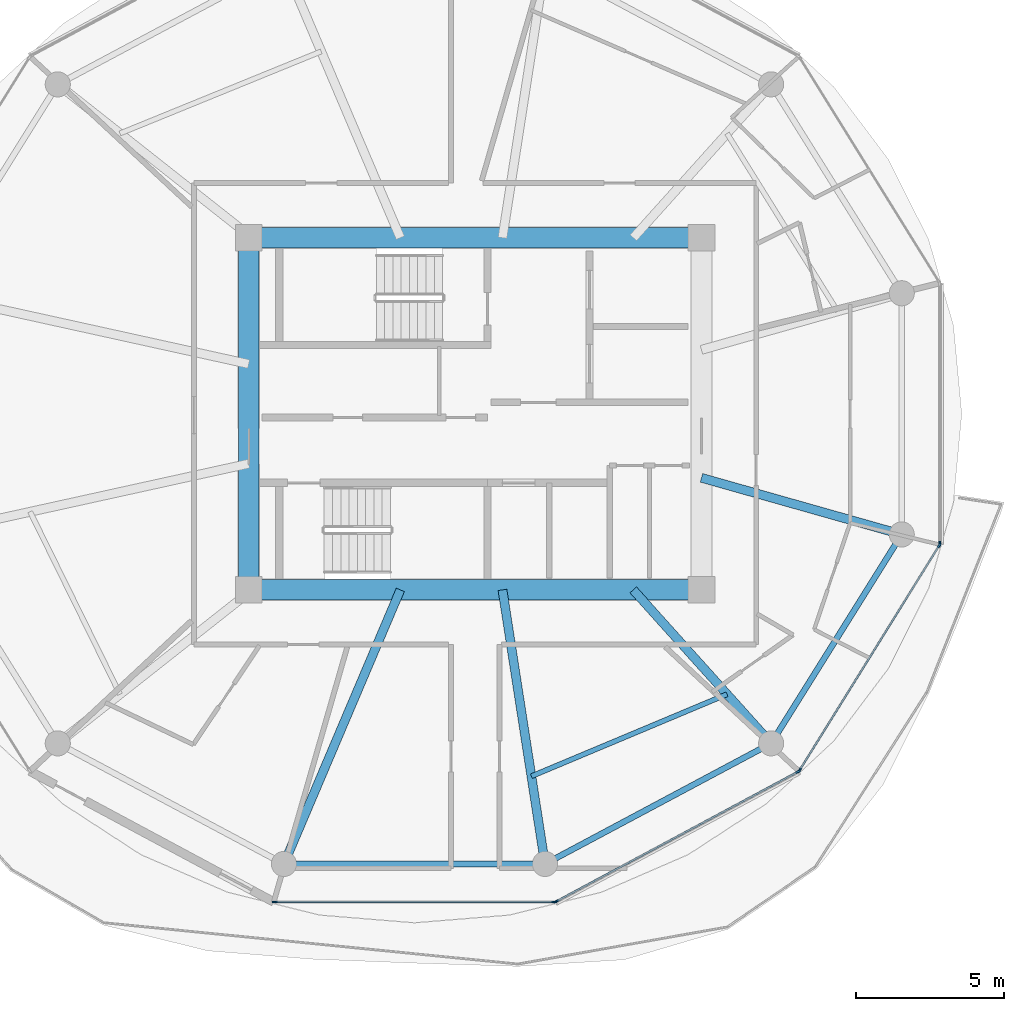
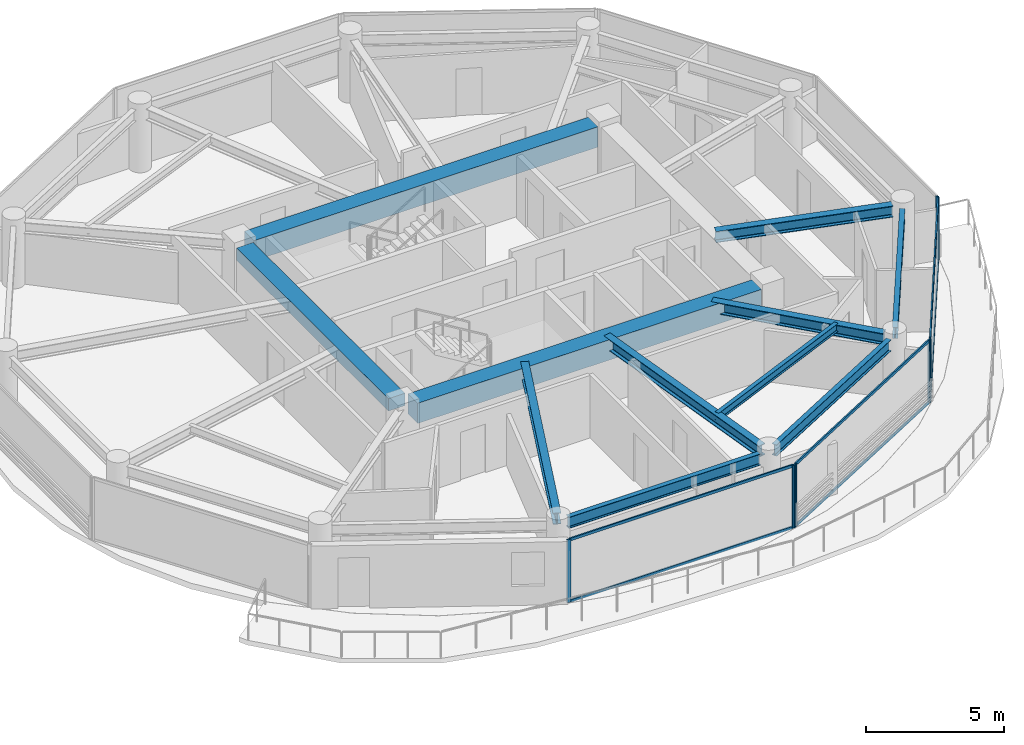
# One storey, part 10 of 24: 13 members, 11 beams, 4 elements without a shape of their own.
"""IFC4 building model written with IfcOpenShell, lengths in metres."""

from ifc_helpers import new_model, si_unit, direction, frame, origin, origin_2d, place, context, subcontext, project, spatial, rectangle, i_section, extrude, source, transform, mapped, material, layer, layer_set, material_profile, profile_set, type_object, type_shapes, element, aggregate, save


model = new_model("IFC4")

# Units and contexts
model_context = context("Model", 3, precision=1e-05, world=origin(), true_north=direction((0.0, 1.0)))
body_context = subcontext(model_context, "Body", "Model", "MODEL_VIEW")
ifc_project = project(units=[si_unit("LENGTHUNIT", "METRE"), si_unit("AREAUNIT", "SQUARE_METRE"), si_unit("VOLUMEUNIT", "CUBIC_METRE"), si_unit("PLANEANGLEUNIT", "RADIAN"), si_unit("MASSUNIT", "GRAM", prefix="KILO")], contexts=[model_context])

# Site, building, storey
site_placement = place(None, origin())
site = spatial("IfcSite", under=ifc_project, at=site_placement, CompositionType="ELEMENT")
building_placement = place(site_placement, origin())
building = spatial("IfcBuilding", under=site, at=building_placement, Name="Norrkilde Senior Care Towers", CompositionType="ELEMENT")
storey_placement = place(building_placement, frame((0.0, 0.0, 90.14990234375)))
storey = spatial("IfcBuildingStorey", under=building, at=storey_placement, Name="L27", CompositionType="ELEMENT", Elevation=90.14990234375)

# Beams
ifc_material_1 = material(Name="Concrete C60/75", Category="concrete")
ifc_material_profile_1 = material_profile(ifc_material_1, rectangle(XDim=0.699951171875, YDim=0.89990234375, at=origin_2d()), Name="RC BM 700x900")
ifc_profile_set_1 = profile_set([ifc_material_profile_1], Name="Concrete C60/75")
beam_type_1 = type_object("IfcBeamType", Name="Core Coupling Girder 700x900", PredefinedType="USERDEFINED", material=ifc_profile_set_1)
shared_shape_1 = source(origin(), body_context, "Body", "SweptSolid", [
    extrude(rectangle(XDim=0.699951171875, YDim=0.89990234375, at=origin_2d()), origin(), (0.0, 0.0, 1.0), 14.43994140625),
])
type_shapes(beam_type_1, [shared_shape_1])
for number, where, z_axis, x_axis, name in (
    (1, (20.780029296875, 5.949951171875, 2.340087890625), (1.0, 0.0, 0.0), (0.0, 1.0, 0.0), "L27 Core E N Coupling Girder"),
    (2, (20.780029296875, -5.949951171875, 2.340087890625), (1.0, 0.0, 0.0), (0.0, 1.0, 0.0), "L27 Core E S Coupling Girder"),
):
    element("IfcBeam", number, at=place(storey_placement, frame(where, z_axis=z_axis, x_axis=x_axis)), inside=storey, type_object=beam_type_1, Name=name, ObjectType="GIRDER", PredefinedType="USERDEFINED", context=body_context, shape_type="MappedRepresentation", body=[
        mapped(shared_shape_1, transform((0.0, 0.0, 0.0), x_axis=(1.0, 0.0, 0.0), y_axis=(0.0, 1.0, 0.0), z_axis=(0.0, 0.0, 1.0), scale=1.0)),
    ])
ifc_material_profile_2 = material_profile(ifc_material_1, rectangle(XDim=0.699951171875, YDim=0.550048828125, at=origin_2d()), Name="RC BM 700x550")
ifc_profile_set_2 = profile_set([ifc_material_profile_2], Name="Concrete C60/75")
beam_type_2 = type_object("IfcBeamType", Name="Core Portal Coupling Beam 700x550", PredefinedType="USERDEFINED", material=ifc_profile_set_2)
shared_shape_2 = source(origin(), body_context, "Body", "SweptSolid", [
    extrude(rectangle(XDim=0.699951171875, YDim=0.550048828125, at=origin_2d()), origin(), (0.0, 0.0, 1.0), 11.0400390625),
])
type_shapes(beam_type_2, [shared_shape_2])
beam_1_placement = place(storey_placement, frame((20.35009765625, -5.52001953125, 2.51513671875), z_axis=(0.0, 1.0, 0.0), x_axis=(-1.0, 0.0, 0.0)))
element("IfcBeam", 3, at=beam_1_placement, inside=storey, type_object=beam_type_2, Name="L27 Core E W Coupling Girder", ObjectType="GIRDER", PredefinedType="USERDEFINED", context=body_context, shape_type="MappedRepresentation", body=[
    mapped(shared_shape_2, transform((0.0, 0.0, 0.0), x_axis=(1.0, 0.0, 0.0), y_axis=(0.0, 1.0, 0.0), z_axis=(0.0, 0.0, 1.0), scale=1.0)),
])
ifc_material_2 = material(Name="Steel S355", Category="steel")
ifc_material_profile_3 = material_profile(ifc_material_2, i_section(OverallWidth=0.199951171875, OverallDepth=0.5, WebThickness=0.01025390625, FlangeThickness=0.01611328125, FilletRadius=0.02099609375, at=origin_2d()), Name="IPE 500")
ifc_profile_set_3 = profile_set([ifc_material_profile_3], Name="Steel S355")
beam_type_3 = type_object("IfcBeamType", Name="Perimeter Ring Spandrel Z2 IPE500", PredefinedType="SPANDREL", material=ifc_profile_set_3)
shared_shape_3 = source(origin(), body_context, "Body", "SweptSolid", [
    extrude(i_section(OverallWidth=0.199951171875, OverallDepth=0.5, WebThickness=0.01025390625, FlangeThickness=0.01611328125, FilletRadius=0.02099609375, at=origin_2d()), origin(), (0.0, 0.0, 1.0), 7.892333984375),
])
beam_2_placement = place(storey_placement, frame((30.70263671875, -15.0322265625, 2.5400390625), z_axis=(0.882350372282, 0.47059305194, 0.0), x_axis=(-0.47059305194, 0.882350372282, 0.0)))
element("IfcBeam", 4, at=beam_2_placement, inside=storey, type_object=beam_type_3, Name="L27 Drum E Perimeter Spandrel 10", PredefinedType="SPANDREL", context=body_context, shape_type="MappedRepresentation", body=[
    mapped(shared_shape_3, transform((0.0, 0.0, 0.0), x_axis=(1.0, 0.0, 0.0), y_axis=(0.0, 1.0, 0.0), z_axis=(0.0, 0.0, 1.0), scale=1.0)),
])
shared_shape_4 = source(origin(), body_context, "Body", "SweptSolid", [
    extrude(i_section(OverallWidth=0.199951171875, OverallDepth=0.5, WebThickness=0.01025390625, FlangeThickness=0.01611328125, FilletRadius=0.02099609375, at=origin_2d()), origin(), (0.0, 0.0, 1.0), 8.0556640625),
])
beam_3_placement = place(storey_placement, frame((21.922119140625, -15.21337890625, 2.5400390625), z_axis=(1.0, 0.0, 0.0), x_axis=(0.0, 1.0, 0.0)))
element("IfcBeam", 5, at=beam_3_placement, inside=storey, type_object=beam_type_3, Name="L27 Drum E Perimeter Spandrel 09", PredefinedType="SPANDREL", context=body_context, shape_type="MappedRepresentation", body=[
    mapped(shared_shape_4, transform((0.0, 0.0, 0.0), x_axis=(1.0, 0.0, 0.0), y_axis=(0.0, 1.0, 0.0), z_axis=(0.0, 0.0, 1.0), scale=1.0)),
])
ifc_material_profile_4 = material_profile(ifc_material_2, i_section(OverallWidth=0.300048828125, OverallDepth=0.5, WebThickness=0.014404296875, FlangeThickness=0.028076171875, FilletRadius=0.027099609375, at=origin_2d()), Name="HEB 500")
ifc_profile_set_4 = profile_set([ifc_material_profile_4], Name="Steel S355")
beam_type_4 = type_object("IfcBeamType", Name="Radial Floor Beam Z2 HEB500", PredefinedType="BEAM", material=ifc_profile_set_4)
shared_shape_5 = source(origin(), body_context, "Body", "SweptSolid", [
    extrude(i_section(OverallWidth=0.300048828125, OverallDepth=0.5, WebThickness=0.014404296875, FlangeThickness=0.028076171875, FilletRadius=0.027099609375, at=origin_2d()), origin(), (0.0, 0.0, 1.0), 9.679443359375),
])
beam_4_placement = place(storey_placement, frame((25.472412109375, -5.949951171875, 2.5400390625), z_axis=(-0.390998033479, -0.920391513333, 0.0), x_axis=(0.920391513333, -0.390998033479, 0.0)))
element("IfcBeam", 6, at=beam_4_placement, inside=storey, type_object=beam_type_4, Name="L27 Drum E Radial Floor Beam 09", PredefinedType="BEAM", context=body_context, shape_type="MappedRepresentation", body=[
    mapped(shared_shape_5, transform((0.0, 0.0, 0.0), x_axis=(1.0, 0.0, 0.0), y_axis=(0.0, 1.0, 0.0), z_axis=(0.0, 0.0, 1.0), scale=1.0)),
])
shared_shape_6 = source(origin(), body_context, "Body", "SweptSolid", [
    extrude(i_section(OverallWidth=0.300048828125, OverallDepth=0.5, WebThickness=0.014404296875, FlangeThickness=0.028076171875, FilletRadius=0.027099609375, at=origin_2d()), origin(), (0.0, 0.0, 1.0), 8.989501953125),
])
beam_5_placement = place(storey_placement, frame((28.924072265625, -5.949951171875, 2.5400390625), z_axis=(0.153471298636, -0.988153105796, 0.0), x_axis=(0.988153105796, 0.153471298636, 0.0)))
element("IfcBeam", 7, at=beam_5_placement, inside=storey, type_object=beam_type_4, Name="L27 Drum E Radial Floor Beam 10", PredefinedType="BEAM", context=body_context, shape_type="MappedRepresentation", body=[
    mapped(shared_shape_6, transform((0.0, 0.0, 0.0), x_axis=(1.0, 0.0, 0.0), y_axis=(0.0, 1.0, 0.0), z_axis=(0.0, 0.0, 1.0), scale=1.0)),
])
shared_shape_7 = source(origin(), body_context, "Body", "SweptSolid", [
    extrude(i_section(OverallWidth=0.199951171875, OverallDepth=0.5, WebThickness=0.01025390625, FlangeThickness=0.01611328125, FilletRadius=0.02099609375, at=origin_2d()), origin(), (0.0, 0.0, 1.0), 7.556396484375),
])
type_shapes(beam_type_3, [shared_shape_3, shared_shape_4, shared_shape_7])
beam_6_placement = place(storey_placement, frame((38.210205078125, -10.810546875, 2.5400390625), z_axis=(0.530004748437, 0.847994673706, 0.0), x_axis=(-0.847994673706, 0.530004748437, 0.0)))
element("IfcBeam", 8, at=beam_6_placement, inside=storey, type_object=beam_type_3, Name="L27 Drum E Perimeter Spandrel 11", PredefinedType="SPANDREL", context=body_context, shape_type="MappedRepresentation", body=[
    mapped(shared_shape_7, transform((0.0, 0.0, 0.0), x_axis=(1.0, 0.0, 0.0), y_axis=(0.0, 1.0, 0.0), z_axis=(0.0, 0.0, 1.0), scale=1.0)),
])
shared_shape_8 = source(origin(), body_context, "Body", "SweptSolid", [
    extrude(i_section(OverallWidth=0.300048828125, OverallDepth=0.5, WebThickness=0.014404296875, FlangeThickness=0.028076171875, FilletRadius=0.027099609375, at=origin_2d()), origin(), (0.0, 0.0, 1.0), 6.587890625),
])
beam_7_placement = place(storey_placement, frame((33.345947265625, -5.949951171875, 2.5400390625), z_axis=(0.668315438605, -0.743877997068, 0.0), x_axis=(0.743877997068, 0.668315438605, 0.0)))
element("IfcBeam", 9, at=beam_7_placement, inside=storey, type_object=beam_type_4, Name="L27 Drum E Radial Floor Beam 11", PredefinedType="BEAM", context=body_context, shape_type="MappedRepresentation", body=[
    mapped(shared_shape_8, transform((0.0, 0.0, 0.0), x_axis=(1.0, 0.0, 0.0), y_axis=(0.0, 1.0, 0.0), z_axis=(0.0, 0.0, 1.0), scale=1.0)),
])
shared_shape_9 = source(origin(), body_context, "Body", "SweptSolid", [
    extrude(i_section(OverallWidth=0.300048828125, OverallDepth=0.5, WebThickness=0.014404296875, FlangeThickness=0.028076171875, FilletRadius=0.027099609375, at=origin_2d()), origin(), (0.0, 0.0, 1.0), 6.6494140625),
])
type_shapes(beam_type_4, [shared_shape_5, shared_shape_6, shared_shape_8, shared_shape_9])
beam_8_placement = place(storey_placement, frame((35.64990234375, -2.162841796875, 2.5400390625), z_axis=(0.962289138357, -0.27202870106, 0.0), x_axis=(0.27202870106, 0.962289138357, 0.0)))
element("IfcBeam", 10, at=beam_8_placement, inside=storey, type_object=beam_type_4, Name="L27 Drum E Radial Floor Beam 12", PredefinedType="BEAM", context=body_context, shape_type="MappedRepresentation", body=[
    mapped(shared_shape_9, transform((0.0, 0.0, 0.0), x_axis=(1.0, 0.0, 0.0), y_axis=(0.0, 1.0, 0.0), z_axis=(0.0, 0.0, 1.0), scale=1.0)),
])
ifc_material_profile_5 = material_profile(ifc_material_2, i_section(OverallWidth=0.169921875, OverallDepth=0.360107421875, WebThickness=0.008056640625, FlangeThickness=0.0126953125, FilletRadius=0.01806640625, at=origin_2d()), Name="IPE 360")
ifc_profile_set_5 = profile_set([ifc_material_profile_5], Name="Steel S355")
beam_type_5 = type_object("IfcBeamType", Name="Secondary Floor Joist IPE360", PredefinedType="JOIST", material=ifc_profile_set_5)
shared_shape_10 = source(origin(), body_context, "Body", "SweptSolid", [
    extrude(i_section(OverallWidth=0.169921875, OverallDepth=0.360107421875, WebThickness=0.008056640625, FlangeThickness=0.0126953125, FilletRadius=0.01806640625, at=origin_2d()), origin(), (0.0, 0.0, 1.0), 7.169921875),
])
type_shapes(beam_type_5, [shared_shape_10])
beam_9_placement = place(storey_placement, frame((29.902587890625, -12.2490234375, 2.610107421875), z_axis=(0.922240600393, 0.386616444279, 0.0), x_axis=(-0.386616444279, 0.922240600393, 0.0)))
element("IfcBeam", 11, at=beam_9_placement, inside=storey, type_object=beam_type_5, Name="L27 Drum E Secondary Floor Joist 4", PredefinedType="JOIST", context=body_context, shape_type="MappedRepresentation", body=[
    mapped(shared_shape_10, transform((0.0, 0.0, 0.0), x_axis=(1.0, 0.0, 0.0), y_axis=(0.0, 1.0, 0.0), z_axis=(0.0, 0.0, 1.0), scale=1.0)),
])

# Curtain wall, members
ifc_material_3 = material(Name="Triple Low-E Insulated Glazing", Category="glass")
ifc_layer = layer(ifc_material_3, 0.195068359375)
ifc_layer_set = layer_set([ifc_layer], Name="Triple Low-E Insulated Glazing")
curtain_wall_type = type_object("IfcCurtainWallType", Name="CW3 Zone 2 Assisted Living Curtain Wall", PredefinedType="NOTDEFINED", material=ifc_layer_set)
curtain_wall_1_placement = place(storey_placement, origin())
curtain_wall_1 = element("IfcCurtainWall", 12, at=curtain_wall_1_placement, inside=storey, type_object=curtain_wall_type, Name="L27 Drum E Curtain Wall 08", PredefinedType="NOTDEFINED")
ifc_material_4 = material(Name="Anodised Aluminium", Category="aluminium")
ifc_material_profile_6 = material_profile(ifc_material_4, rectangle(XDim=0.06494140625, YDim=0.159912109375, at=origin_2d()), Name="ALU MULL 65x160")
ifc_profile_set_6 = profile_set([ifc_material_profile_6], Name="Anodised Aluminium")
member_type_1 = type_object("IfcMemberType", Name="Curtain Wall Mullion Z1-Z2 65x160", PredefinedType="MULLION", material=ifc_profile_set_6)
shared_shape_11 = source(origin(), body_context, "Body", "SweptSolid", [
    extrude(rectangle(XDim=0.06494140625, YDim=0.159912109375, at=origin_2d()), origin(), (0.0, 0.0, 1.0), 2.7900390625),
])
type_shapes(member_type_1, [shared_shape_11])
member_1_placement = place(storey_placement, frame((30.674560546875, -16.498046875, 0.0), z_axis=(0.0, 0.0, 1.0), x_axis=(0.0, -1.0, 0.0)))
member_1 = element("IfcMember", 13, at=member_1_placement, type_object=member_type_1, Name="CW-3 mullion 1", PredefinedType="MULLION", context=body_context, shape_type="MappedRepresentation", body=[
    mapped(shared_shape_11, transform((0.0, 0.0, 0.0), x_axis=(1.0, 0.0, 0.0), y_axis=(0.0, 1.0, 0.0), z_axis=(0.0, 0.0, 1.0), scale=1.0)),
])
member_2_placement = place(storey_placement, frame((21.225341796875, -16.498046875, 0.0), z_axis=(0.0, 0.0, 1.0), x_axis=(0.0, -1.0, 0.0)))
member_2 = element("IfcMember", 14, at=member_2_placement, type_object=member_type_1, Name="CW-3 mullion 2", PredefinedType="MULLION", context=body_context, shape_type="MappedRepresentation", body=[
    mapped(shared_shape_11, transform((0.0, 0.0, 0.0), x_axis=(1.0, 0.0, 0.0), y_axis=(0.0, 1.0, 0.0), z_axis=(0.0, 0.0, 1.0), scale=1.0)),
])

curtain_wall_2_placement = place(storey_placement, origin())
curtain_wall_2 = element("IfcCurtainWall", 15, at=curtain_wall_2_placement, inside=storey, type_object=curtain_wall_type, Name="L27 Drum E Curtain Wall 09", PredefinedType="NOTDEFINED")
member_3_placement = place(storey_placement, frame((38.91796875, -12.0927734375, 0.0), z_axis=(0.0, 0.0, 1.0), x_axis=(0.472769402511, -0.881186184668, 0.0)))
member_3 = element("IfcMember", 16, at=member_3_placement, type_object=member_type_1, Name="CW-3 mullion 1", PredefinedType="MULLION", context=body_context, shape_type="MappedRepresentation", body=[
    mapped(shared_shape_11, transform((0.0, 0.0, 0.0), x_axis=(1.0, 0.0, 0.0), y_axis=(0.0, 1.0, 0.0), z_axis=(0.0, 0.0, 1.0), scale=1.0)),
])
member_4_placement = place(storey_placement, frame((30.73583984375, -16.482666015625, 0.0), z_axis=(0.0, 0.0, 1.0), x_axis=(0.472769402511, -0.881186184668, 0.0)))
member_4 = element("IfcMember", 17, at=member_4_placement, type_object=member_type_1, Name="CW-3 mullion 2", PredefinedType="MULLION", context=body_context, shape_type="MappedRepresentation", body=[
    mapped(shared_shape_11, transform((0.0, 0.0, 0.0), x_axis=(1.0, 0.0, 0.0), y_axis=(0.0, 1.0, 0.0), z_axis=(0.0, 0.0, 1.0), scale=1.0)),
])

curtain_wall_3_placement = place(storey_placement, origin())
curtain_wall_3 = element("IfcCurtainWall", 18, at=curtain_wall_3_placement, inside=storey, type_object=curtain_wall_type, Name="L27 Drum E Curtain Wall 10", PredefinedType="NOTDEFINED")
member_5_placement = place(storey_placement, frame((43.6865234375, -4.4482421875, 0.0), z_axis=(0.0, 0.0, 1.0), x_axis=(0.849410171862, -0.527733228002, 0.0)))
member_5 = element("IfcMember", 19, at=member_5_placement, type_object=member_type_1, Name="CW-3 mullion 1", PredefinedType="MULLION", context=body_context, shape_type="MappedRepresentation", body=[
    mapped(shared_shape_11, transform((0.0, 0.0, 0.0), x_axis=(1.0, 0.0, 0.0), y_axis=(0.0, 1.0, 0.0), z_axis=(0.0, 0.0, 1.0), scale=1.0)),
])
member_6_placement = place(storey_placement, frame((38.9638671875, -12.0498046875, 0.0), z_axis=(0.0, 0.0, 1.0), x_axis=(0.849410171862, -0.527733228002, 0.0)))
member_6 = element("IfcMember", 20, at=member_6_placement, type_object=member_type_1, Name="CW-3 mullion 2", PredefinedType="MULLION", context=body_context, shape_type="MappedRepresentation", body=[
    mapped(shared_shape_11, transform((0.0, 0.0, 0.0), x_axis=(1.0, 0.0, 0.0), y_axis=(0.0, 1.0, 0.0), z_axis=(0.0, 0.0, 1.0), scale=1.0)),
])

# Curtain wall, member
curtain_wall_4_placement = place(storey_placement, origin())
curtain_wall_4 = element("IfcCurtainWall", 21, at=curtain_wall_4_placement, inside=storey, type_object=curtain_wall_type, Name="L27 Drum E Curtain Wall 11", PredefinedType="NOTDEFINED")
member_7_placement = place(storey_placement, frame((43.70361328125, -4.38818359375, 0.0), z_axis=(0.0, 0.0, 1.0), x_axis=(1.0, 0.0, 0.0)))
member_7 = element("IfcMember", 22, at=member_7_placement, type_object=member_type_1, Name="CW-3 mullion 2", PredefinedType="MULLION", context=body_context, shape_type="MappedRepresentation", body=[
    mapped(shared_shape_11, transform((0.0, 0.0, 0.0), x_axis=(1.0, 0.0, 0.0), y_axis=(0.0, 1.0, 0.0), z_axis=(0.0, 0.0, 1.0), scale=1.0)),
])
aggregate(curtain_wall_4, [member_7])

# Member
ifc_material_profile_7 = material_profile(ifc_material_4, rectangle(XDim=0.06005859375, YDim=0.1201171875, at=origin_2d()), Name="ALU TRAN 60x120")
ifc_profile_set_7 = profile_set([ifc_material_profile_7], Name="Anodised Aluminium")
member_type_2 = type_object("IfcMemberType", Name="Curtain Wall Transom Typical 60x120", PredefinedType="USERDEFINED", material=ifc_profile_set_7)
shared_shape_12 = source(origin(), body_context, "Body", "SweptSolid", [
    extrude(rectangle(XDim=0.06005859375, YDim=0.1201171875, at=origin_2d()), origin(), (0.0, 0.0, 1.0), 8.88427734375),
])
member_8_placement = place(storey_placement, frame((43.66943359375, -4.475830078125, 0.030029296875), z_axis=(-0.527729466743, -0.849412508697, 0.0), x_axis=(0.849412508697, -0.527729466743, 0.0)))
member_8 = element("IfcMember", 23, at=member_8_placement, type_object=member_type_2, Name="CW-3 transom 1.1", ObjectType="TRANSOM", PredefinedType="USERDEFINED", context=body_context, shape_type="MappedRepresentation", body=[
    mapped(shared_shape_12, transform((0.0, 0.0, 0.0), x_axis=(1.0, 0.0, 0.0), y_axis=(0.0, 1.0, 0.0), z_axis=(0.0, 0.0, 1.0), scale=1.0)),
])

member_9_placement = place(storey_placement, frame((43.66943359375, -4.475830078125, 2.760009765625), z_axis=(-0.527729466743, -0.849412508697, 0.0), x_axis=(0.849412508697, -0.527729466743, 0.0)))
member_9 = element("IfcMember", 24, at=member_9_placement, type_object=member_type_2, Name="CW-3 transom 1.2", ObjectType="TRANSOM", PredefinedType="USERDEFINED", context=body_context, shape_type="MappedRepresentation", body=[
    mapped(shared_shape_12, transform((0.0, 0.0, 0.0), x_axis=(1.0, 0.0, 0.0), y_axis=(0.0, 1.0, 0.0), z_axis=(0.0, 0.0, 1.0), scale=1.0)),
])

aggregate(curtain_wall_3, [member_5, member_6, member_8, member_9])

shared_shape_13 = source(origin(), body_context, "Body", "SweptSolid", [
    extrude(rectangle(XDim=0.06005859375, YDim=0.1201171875, at=origin_2d()), origin(), (0.0, 0.0, 1.0), 9.220458984375),
])
member_10_placement = place(storey_placement, frame((38.889404296875, -12.108154296875, 0.030029296875), z_axis=(-0.881188517866, -0.472765053681, 0.0), x_axis=(0.472765053681, -0.881188517866, 0.0)))
member_10 = element("IfcMember", 25, at=member_10_placement, type_object=member_type_2, Name="CW-3 transom 1.1", ObjectType="TRANSOM", PredefinedType="USERDEFINED", context=body_context, shape_type="MappedRepresentation", body=[
    mapped(shared_shape_13, transform((0.0, 0.0, 0.0), x_axis=(1.0, 0.0, 0.0), y_axis=(0.0, 1.0, 0.0), z_axis=(0.0, 0.0, 1.0), scale=1.0)),
])

member_11_placement = place(storey_placement, frame((38.889404296875, -12.108154296875, 2.760009765625), z_axis=(-0.881188517866, -0.472765053681, 0.0), x_axis=(0.472765053681, -0.881188517866, 0.0)))
member_11 = element("IfcMember", 26, at=member_11_placement, type_object=member_type_2, Name="CW-3 transom 1.2", ObjectType="TRANSOM", PredefinedType="USERDEFINED", context=body_context, shape_type="MappedRepresentation", body=[
    mapped(shared_shape_13, transform((0.0, 0.0, 0.0), x_axis=(1.0, 0.0, 0.0), y_axis=(0.0, 1.0, 0.0), z_axis=(0.0, 0.0, 1.0), scale=1.0)),
])

aggregate(curtain_wall_2, [member_3, member_4, member_10, member_11])

shared_shape_14 = source(origin(), body_context, "Body", "SweptSolid", [
    extrude(rectangle(XDim=0.06005859375, YDim=0.1201171875, at=origin_2d()), origin(), (0.0, 0.0, 1.0), 9.38427734375),
])
type_shapes(member_type_2, [shared_shape_12, shared_shape_13, shared_shape_14])
member_12_placement = place(storey_placement, frame((30.64208984375, -16.498046875, 0.030029296875), z_axis=(-1.0, 0.0, 0.0), x_axis=(0.0, -1.0, 0.0)))
member_12 = element("IfcMember", 27, at=member_12_placement, type_object=member_type_2, Name="CW-3 transom 1.1", ObjectType="TRANSOM", PredefinedType="USERDEFINED", context=body_context, shape_type="MappedRepresentation", body=[
    mapped(shared_shape_14, transform((0.0, 0.0, 0.0), x_axis=(1.0, 0.0, 0.0), y_axis=(0.0, 1.0, 0.0), z_axis=(0.0, 0.0, 1.0), scale=1.0)),
])

member_13_placement = place(storey_placement, frame((30.64208984375, -16.498046875, 2.760009765625), z_axis=(-1.0, 0.0, 0.0), x_axis=(0.0, -1.0, 0.0)))
member_13 = element("IfcMember", 28, at=member_13_placement, type_object=member_type_2, Name="CW-3 transom 1.2", ObjectType="TRANSOM", PredefinedType="USERDEFINED", context=body_context, shape_type="MappedRepresentation", body=[
    mapped(shared_shape_14, transform((0.0, 0.0, 0.0), x_axis=(1.0, 0.0, 0.0), y_axis=(0.0, 1.0, 0.0), z_axis=(0.0, 0.0, 1.0), scale=1.0)),
])

aggregate(curtain_wall_1, [member_1, member_2, member_12, member_13])

save(model, "model.ifc")
